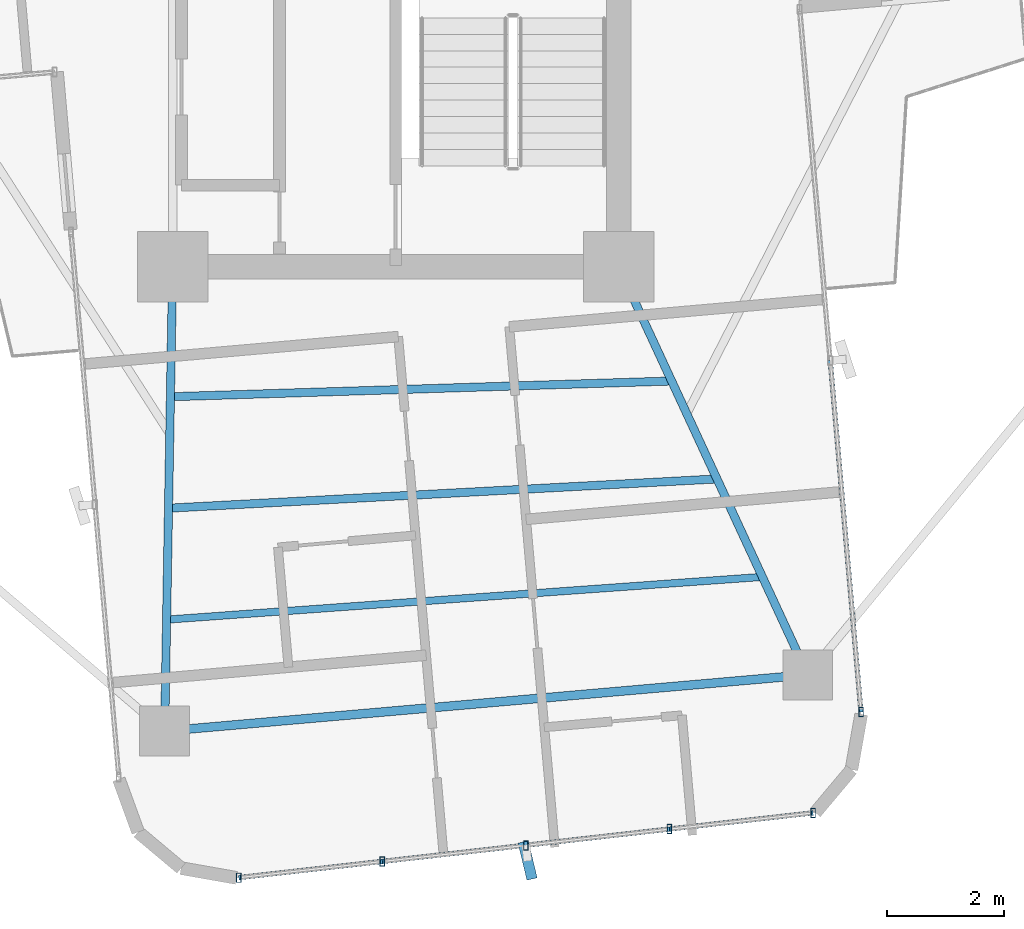
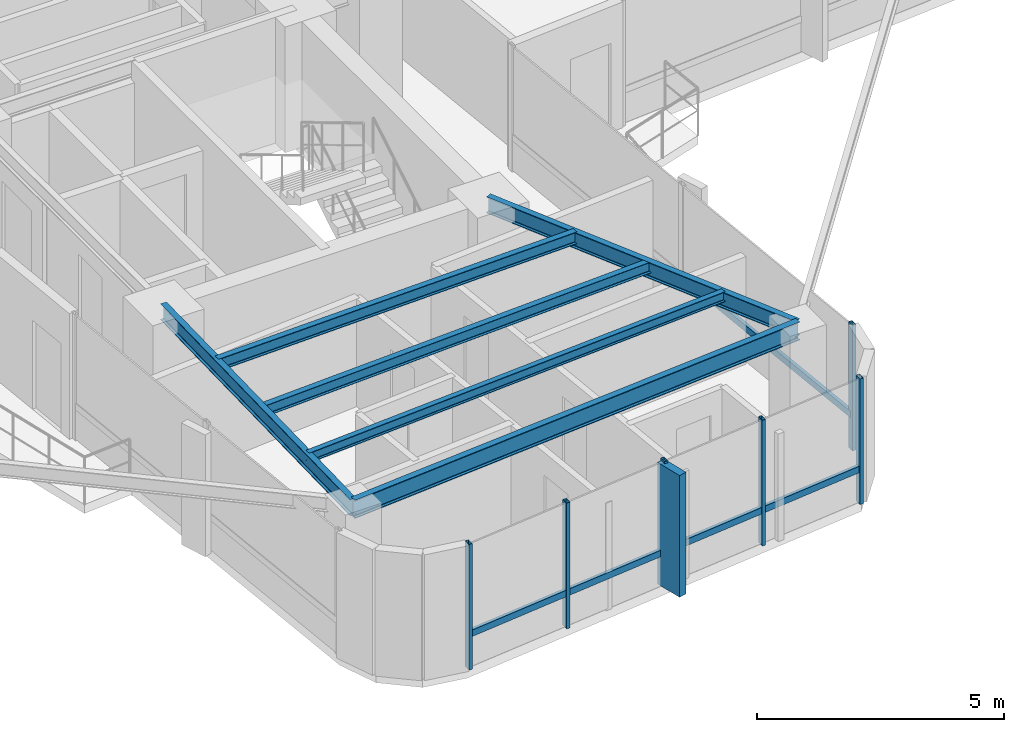
# One storey, part 6 of 24: 12 members, 6 beams, 2 elements without a shape of their own.
"""IFC4 building model written with IfcOpenShell, lengths in metres."""

from ifc_helpers import new_model, si_unit, direction, frame, origin, origin_2d, place, context, subcontext, project, spatial, rectangle, hollow_rectangle, i_section, extrude, source, transform, mapped, material, material_profile, profile_set, type_object, element, aggregate, save


model = new_model("IFC4")

# Units and contexts
model_context = context("Model", 3, precision=1e-05, world=origin(), true_north=direction((0.0, 1.0)))
body_context = subcontext(model_context, "Body", "Model", "MODEL_VIEW")
ifc_project = project(units=[si_unit("LENGTHUNIT", "METRE"), si_unit("AREAUNIT", "SQUARE_METRE"), si_unit("VOLUMEUNIT", "CUBIC_METRE"), si_unit("PLANEANGLEUNIT", "RADIAN"), si_unit("MASSUNIT", "GRAM", prefix="KILO")], contexts=[model_context])

# Site, building, storey
site_placement = place(None, origin())
site = spatial("IfcSite", under=ifc_project, at=site_placement, CompositionType="ELEMENT")
building_placement = place(site_placement, origin())
building = spatial("IfcBuilding", under=site, at=building_placement, Name="Sahyath Konkavel Grand Hotel", CompositionType="ELEMENT")
storey_placement = place(building_placement, frame((0.0, 0.0, 185.25)))
storey = spatial("IfcBuildingStorey", under=building, at=storey_placement, Name="L51", CompositionType="ELEMENT", Elevation=185.25)

# Beams
ifc_material_1 = material(Name="Steel E350", Category="steel")
ifc_material_profile_1 = material_profile(ifc_material_1, i_section(OverallWidth=0.139892578125, OverallDepth=0.39990234375, WebThickness=0.0087890625, FlangeThickness=0.01611328125, FilletRadius=0.013916015625, at=origin_2d()), Name="ISMB 400")
ifc_profile_set_1 = profile_set([ifc_material_profile_1], Name="Steel E350")
beam_type_1 = type_object("IfcBeamType", Name="BM-ISMB400", PredefinedType="BEAM", material=ifc_profile_set_1)
shared_shape_1 = source(origin(), body_context, "Body", "SweptSolid", [
    extrude(i_section(OverallWidth=0.139892578125, OverallDepth=0.39990234375, WebThickness=0.0087890625, FlangeThickness=0.01611328125, FilletRadius=0.013916015625, at=origin_2d()), origin(), (0.0, 0.0, 1.0), 7.913330078125),
])
beam_1_placement = place(storey_placement, frame((-3.800048828125, -10.199951171875, 2.909912109375), z_axis=(-0.017215419232, -0.999851803689, 0.0), x_axis=(0.999851803689, -0.017215419232, 0.0)))
element("IfcBeam", 1, at=beam_1_placement, inside=storey, type_object=beam_type_1, Name="L51 Cruciform Radial Girder SA", PredefinedType="BEAM", context=body_context, shape_type="MappedRepresentation", body=[
    mapped(shared_shape_1, transform((0.0, 0.0, 0.0), scale=1.0)),
])
shared_shape_2 = source(origin(), body_context, "Body", "SweptSolid", [
    extrude(i_section(OverallWidth=0.139892578125, OverallDepth=0.39990234375, WebThickness=0.0087890625, FlangeThickness=0.01611328125, FilletRadius=0.013916015625, at=origin_2d()), origin(), (0.0, 0.0, 1.0), 7.66357421875),
])
beam_2_placement = place(storey_placement, frame((3.800048828125, -10.199951171875, 2.909912109375), z_axis=(0.420395127561, -0.907341135804, 0.0), x_axis=(0.907341135804, 0.420395127561, 0.0)))
element("IfcBeam", 2, at=beam_2_placement, inside=storey, type_object=beam_type_1, Name="L51 Cruciform Radial Girder SB", PredefinedType="BEAM", context=body_context, shape_type="MappedRepresentation", body=[
    mapped(shared_shape_2, transform((0.0, 0.0, 0.0), scale=1.0)),
])
ifc_material_profile_2 = material_profile(ifc_material_1, i_section(OverallWidth=0.14990234375, OverallDepth=0.449951171875, WebThickness=0.009521484375, FlangeThickness=0.017333984375, FilletRadius=0.014892578125, at=origin_2d()), Name="ISMB 450")
ifc_profile_set_2 = profile_set([ifc_material_profile_2], Name="Steel E350")
beam_type_2 = type_object("IfcBeamType", Name="BM-ISMB450", PredefinedType="BEAM", material=ifc_profile_set_2)
shared_shape_3 = source(origin(), body_context, "Body", "SweptSolid", [
    extrude(i_section(OverallWidth=0.14990234375, OverallDepth=0.449951171875, WebThickness=0.009521484375, FlangeThickness=0.017333984375, FilletRadius=0.014892578125, at=origin_2d()), origin(), (0.0, 0.0, 1.0), 10.999755859375),
])
beam_3_placement = place(storey_placement, frame((-3.936279296875, -18.112060546875, 2.885009765625), z_axis=(0.99619439202, 0.087159241098, 0.0), x_axis=(-0.087159241098, 0.99619439202, 0.0)))
element("IfcBeam", 3, at=beam_3_placement, inside=storey, type_object=beam_type_2, Name="L51 Wing Tip Edge Beam S", PredefinedType="BEAM", context=body_context, shape_type="MappedRepresentation", body=[
    mapped(shared_shape_3, transform((0.0, 0.0, 0.0), scale=1.0)),
])
ifc_material_profile_3 = material_profile(ifc_material_1, i_section(OverallWidth=0.139892578125, OverallDepth=0.300048828125, WebThickness=0.0078125, FlangeThickness=0.01318359375, FilletRadius=0.013916015625, at=origin_2d()), Name="ISMB 300")
ifc_profile_set_3 = profile_set([ifc_material_profile_3], Name="Steel E350")
beam_type_3 = type_object("IfcBeamType", Name="BM-ISMB300", PredefinedType="BEAM", material=ifc_profile_set_3)
shared_shape_4 = source(origin(), body_context, "Body", "SweptSolid", [
    extrude(i_section(OverallWidth=0.139892578125, OverallDepth=0.300048828125, WebThickness=0.0078125, FlangeThickness=0.01318359375, FilletRadius=0.013916015625, at=origin_2d()), origin(), (0.0, 0.0, 1.0), 8.54443359375),
])
beam_4_placement = place(storey_placement, frame((-3.838134765625, -12.415283203125, 2.9599609375), z_axis=(0.999506849365, 0.031401561632, 0.0), x_axis=(-0.031401561632, 0.999506849365, 0.0)))
element("IfcBeam", 4, at=beam_4_placement, inside=storey, type_object=beam_type_3, Name="L51 Secondary Floor Beam S-1", PredefinedType="BEAM", context=body_context, shape_type="MappedRepresentation", body=[
    mapped(shared_shape_4, transform((0.0, 0.0, 0.0), scale=1.0)),
])
ifc_material_profile_4 = material_profile(ifc_material_1, i_section(OverallWidth=0.139892578125, OverallDepth=0.27490234375, WebThickness=0.00634765625, FlangeThickness=0.0087890625, FilletRadius=0.012939453125, at=origin_2d()), Name="ISLB 275")
ifc_profile_set_4 = profile_set([ifc_material_profile_4], Name="Steel E350")
beam_type_4 = type_object("IfcBeamType", Name="BM-ISLB275", PredefinedType="BEAM", material=ifc_profile_set_4)
shared_shape_5 = source(origin(), body_context, "Body", "SweptSolid", [
    extrude(i_section(OverallWidth=0.139892578125, OverallDepth=0.27490234375, WebThickness=0.00634765625, FlangeThickness=0.0087890625, FilletRadius=0.012939453125, at=origin_2d()), origin(), (0.0, 0.0, 1.0), 9.359375),
])
beam_5_placement = place(storey_placement, frame((-3.870849609375, -14.314208984375, 2.972412109375), z_axis=(0.998580397723, 0.053265272769, 0.0), x_axis=(-0.053265272769, 0.998580397723, 0.0)))
element("IfcBeam", 5, at=beam_5_placement, inside=storey, type_object=beam_type_4, Name="L51 Secondary Floor Beam S-2", PredefinedType="BEAM", context=body_context, shape_type="MappedRepresentation", body=[
    mapped(shared_shape_5, transform((0.0, 0.0, 0.0), scale=1.0)),
])
ifc_material_profile_5 = material_profile(ifc_material_1, i_section(OverallWidth=0.125, OverallDepth=0.25, WebThickness=0.0068359375, FlangeThickness=0.012451171875, FilletRadius=0.012939453125, at=origin_2d()), Name="ISMB 250")
ifc_profile_set_5 = profile_set([ifc_material_profile_5], Name="Steel E350")
beam_type_5 = type_object("IfcBeamType", Name="BM-ISMB250", PredefinedType="BEAM", material=ifc_profile_set_5)
shared_shape_6 = source(origin(), body_context, "Body", "SweptSolid", [
    extrude(i_section(OverallWidth=0.125, OverallDepth=0.25, WebThickness=0.0068359375, FlangeThickness=0.012451171875, FilletRadius=0.012939453125, at=origin_2d()), origin(), (0.0, 0.0, 1.0), 10.178466796875),
])
beam_6_placement = place(storey_placement, frame((-3.90380859375, -16.213134765625, 2.985107421875), z_axis=(0.997435268886, 0.071574327683, 0.0), x_axis=(-0.071574327683, 0.997435268886, 0.0)))
element("IfcBeam", 6, at=beam_6_placement, inside=storey, type_object=beam_type_5, Name="L51 Secondary Floor Beam S-3", PredefinedType="BEAM", context=body_context, shape_type="MappedRepresentation", body=[
    mapped(shared_shape_6, transform((0.0, 0.0, 0.0), scale=1.0)),
])

# Curtain wall, members
ifc_material_2 = material(Name="Anodised Bronze Aluminium & Low-E Glazing", Category="aluminium")
curtain_wall_type = type_object("IfcCurtainWallType", Name="CW-ZONE3", PredefinedType="NOTDEFINED", material=ifc_material_2)
curtain_wall_1_placement = place(storey_placement, origin())
curtain_wall_1 = element("IfcCurtainWall", 7, at=curtain_wall_1_placement, inside=storey, type_object=curtain_wall_type, Name="L51 Unitised Curtain Wall F28", PredefinedType="NOTDEFINED")
ifc_material_3 = material(Name="Warm Buff Sandstone Cladding on Concrete C50/60", Category="masonry")
ifc_material_profile_6 = material_profile(ifc_material_3, rectangle(XDim=0.179931640625, YDim=0.64990234375, at=origin_2d()), Name="FIN 180x650")
ifc_profile_set_6 = profile_set([ifc_material_profile_6], Name="Warm Buff Sandstone Cladding on Concrete C50/60")
member_type_1 = type_object("IfcMemberType", Name="FIN-SANDSTONE-650", PredefinedType="MULLION", material=ifc_profile_set_6)
shared_shape_7 = source(origin(), body_context, "Body", "SweptSolid", [
    extrude(rectangle(XDim=0.179931640625, YDim=0.64990234375, at=origin_2d()), origin(), (0.0, 0.0, 1.0), 3.010009765625),
])
member_1_placement = place(storey_placement, frame((2.248291015625, -20.3173828125, 0.050048828125), z_axis=(0.0, 0.0, 1.0), x_axis=(0.972369920398, 0.233445363856, 0.0)))
member_1 = element("IfcMember", 8, at=member_1_placement, type_object=member_type_1, Name="L51 Sandstone Vertical Solar Fin FIN F28-2", PredefinedType="MULLION", context=body_context, shape_type="MappedRepresentation", body=[
    mapped(shared_shape_7, transform((0.0, 0.0, 0.0), scale=1.0)),
])
ifc_material_4 = material(Name="Anodised Bronze Aluminium", Category="aluminium")
ifc_material_profile_7 = material_profile(ifc_material_4, hollow_rectangle(XDim=0.080078125, YDim=0.159912109375, WallThickness=0.006103515625, at=origin_2d()), Name="RHS 160x80x6")
ifc_profile_set_7 = profile_set([ifc_material_profile_7], Name="Anodised Bronze Aluminium")
member_type_2 = type_object("IfcMemberType", Name="CW-MUL-160", PredefinedType="MULLION", material=ifc_profile_set_7)
shared_shape_8 = source(origin(), body_context, "Body", "SweptSolid", [
    extrude(hollow_rectangle(XDim=0.080078125, YDim=0.159912109375, WallThickness=0.006103515625, at=origin_2d()), origin(), (0.0, 0.0, 1.0), 3.110107421875),
])
member_2_placement = place(storey_placement, frame((-2.673828125, -20.610595703125, 0.0), z_axis=(0.0, 0.0, 1.0), x_axis=(1.0, 0.0, 0.0)))
member_2 = element("IfcMember", 9, at=member_2_placement, type_object=member_type_2, Name="L51 Curtain Wall Mullion F28-0", PredefinedType="MULLION", context=body_context, shape_type="MappedRepresentation", body=[
    mapped(shared_shape_8, transform((0.0, 0.0, 0.0), scale=1.0)),
])
member_3_placement = place(storey_placement, frame((-0.227294921875, -20.334716796875, 0.0), z_axis=(0.0, 0.0, 1.0), x_axis=(1.0, 0.0, 0.0)))
member_3 = element("IfcMember", 10, at=member_3_placement, type_object=member_type_2, Name="L51 Curtain Wall Mullion F28-1", PredefinedType="MULLION", context=body_context, shape_type="MappedRepresentation", body=[
    mapped(shared_shape_8, transform((0.0, 0.0, 0.0), scale=1.0)),
])
member_4_placement = place(storey_placement, frame((2.21923828125, -20.05908203125, 0.0), z_axis=(0.0, 0.0, 1.0), x_axis=(1.0, 0.0, 0.0)))
member_4 = element("IfcMember", 11, at=member_4_placement, type_object=member_type_2, Name="L51 Curtain Wall Mullion F28-2", PredefinedType="MULLION", context=body_context, shape_type="MappedRepresentation", body=[
    mapped(shared_shape_8, transform((0.0, 0.0, 0.0), scale=1.0)),
])
member_5_placement = place(storey_placement, frame((4.665771484375, -19.783203125, 0.0), z_axis=(0.0, 0.0, 1.0), x_axis=(1.0, 0.0, 0.0)))
member_5 = element("IfcMember", 12, at=member_5_placement, type_object=member_type_2, Name="L51 Curtain Wall Mullion F28-3", PredefinedType="MULLION", context=body_context, shape_type="MappedRepresentation", body=[
    mapped(shared_shape_8, transform((0.0, 0.0, 0.0), scale=1.0)),
])
member_6_placement = place(storey_placement, frame((7.1123046875, -19.507568359375, 0.0), z_axis=(0.0, 0.0, 1.0), x_axis=(1.0, 0.0, 0.0)))
member_6 = element("IfcMember", 13, at=member_6_placement, type_object=member_type_2, Name="L51 Curtain Wall Mullion F28-4", PredefinedType="MULLION", context=body_context, shape_type="MappedRepresentation", body=[
    mapped(shared_shape_8, transform((0.0, 0.0, 0.0), scale=1.0)),
])

# Curtain wall, member
curtain_wall_2_placement = place(storey_placement, origin())
curtain_wall_2 = element("IfcCurtainWall", 14, at=curtain_wall_2_placement, inside=storey, type_object=curtain_wall_type, Name="L51 Unitised Curtain Wall F31", PredefinedType="NOTDEFINED")
member_7_placement = place(storey_placement, frame((7.930419921875, -17.78662109375, 0.0), z_axis=(0.0, 0.0, 1.0), x_axis=(1.0, 0.0, 0.0)))
member_7 = element("IfcMember", 15, at=member_7_placement, type_object=member_type_2, Name="L51 Curtain Wall Mullion F31-0", PredefinedType="MULLION", context=body_context, shape_type="MappedRepresentation", body=[
    mapped(shared_shape_8, transform((0.0, 0.0, 0.0), scale=1.0)),
])

# Member
ifc_material_profile_8 = material_profile(ifc_material_4, hollow_rectangle(XDim=0.080078125, YDim=0.159912109375, WallThickness=0.006103515625, at=origin_2d()), Name="RHS 160x80x6")
ifc_profile_set_8 = profile_set([ifc_material_profile_8], Name="Anodised Bronze Aluminium")
member_type_3 = type_object("IfcMemberType", Name="CW-TRN-160", PredefinedType="USERDEFINED", material=ifc_profile_set_8)
shared_shape_9 = source(origin(), body_context, "Body", "SweptSolid", [
    extrude(hollow_rectangle(XDim=0.080078125, YDim=0.159912109375, WallThickness=0.006103515625, at=origin_2d()), origin(), (0.0, 0.0, 1.0), 2.462158203125),
])
member_8_placement = place(storey_placement, frame((-2.673828125, -20.610595703125, 0.85009765625), z_axis=(0.99370222711, 0.112053040279, 0.0), x_axis=(-0.112053040279, 0.99370222711, 0.0)))
member_8 = element("IfcMember", 16, at=member_8_placement, type_object=member_type_3, Name="L51 Curtain Wall Transom F28-0-spandrel", ObjectType="TRANSOM", PredefinedType="USERDEFINED", context=body_context, shape_type="MappedRepresentation", body=[
    mapped(shared_shape_9, transform((0.0, 0.0, 0.0), scale=1.0)),
])

member_9_placement = place(storey_placement, frame((2.21923828125, -20.05908203125, 0.85009765625), z_axis=(0.99370222711, 0.112053040279, 0.0), x_axis=(-0.112053040279, 0.99370222711, 0.0)))
member_9 = element("IfcMember", 17, at=member_9_placement, type_object=member_type_3, Name="L51 Curtain Wall Transom F28-2-spandrel", ObjectType="TRANSOM", PredefinedType="USERDEFINED", context=body_context, shape_type="MappedRepresentation", body=[
    mapped(shared_shape_9, transform((0.0, 0.0, 0.0), scale=1.0)),
])

shared_shape_10 = source(origin(), body_context, "Body", "SweptSolid", [
    extrude(hollow_rectangle(XDim=0.080078125, YDim=0.159912109375, WallThickness=0.006103515625, at=origin_2d()), origin(), (0.0, 0.0, 1.0), 2.4619140625),
])
member_10_placement = place(storey_placement, frame((-0.227294921875, -20.334716796875, 0.85009765625), z_axis=(0.993713263833, 0.111955121731, 0.0), x_axis=(-0.111955121731, 0.993713263833, 0.0)))
member_10 = element("IfcMember", 18, at=member_10_placement, type_object=member_type_3, Name="L51 Curtain Wall Transom F28-1-spandrel", ObjectType="TRANSOM", PredefinedType="USERDEFINED", context=body_context, shape_type="MappedRepresentation", body=[
    mapped(shared_shape_10, transform((0.0, 0.0, 0.0), scale=1.0)),
])

member_11_placement = place(storey_placement, frame((4.665771484375, -19.783203125, 0.85009765625), z_axis=(0.993713263833, 0.111955121731, 0.0), x_axis=(-0.111955121731, 0.993713263833, 0.0)))
member_11 = element("IfcMember", 19, at=member_11_placement, type_object=member_type_3, Name="L51 Curtain Wall Transom F28-3-spandrel", ObjectType="TRANSOM", PredefinedType="USERDEFINED", context=body_context, shape_type="MappedRepresentation", body=[
    mapped(shared_shape_10, transform((0.0, 0.0, 0.0), scale=1.0)),
])

aggregate(curtain_wall_1, [member_2, member_3, member_4, member_1, member_5, member_6, member_8, member_10, member_9, member_11])

shared_shape_11 = source(origin(), body_context, "Body", "SweptSolid", [
    extrude(hollow_rectangle(XDim=0.080078125, YDim=0.159912109375, WallThickness=0.006103515625, at=origin_2d()), origin(), (0.0, 0.0, 1.0), 6.01025390625),
])
member_12_placement = place(storey_placement, frame((7.930419921875, -17.78662109375, 0.85009765625), z_axis=(-0.087172997156, 0.996193188376, 0.0), x_axis=(-0.996193188376, -0.087172997156, 0.0)))
member_12 = element("IfcMember", 20, at=member_12_placement, type_object=member_type_3, Name="L51 Curtain Wall Transom F31-0-spandrel", ObjectType="TRANSOM", PredefinedType="USERDEFINED", context=body_context, shape_type="MappedRepresentation", body=[
    mapped(shared_shape_11, transform((0.0, 0.0, 0.0), scale=1.0)),
])

aggregate(curtain_wall_2, [member_7, member_12])

save(model, "model.ifc")
